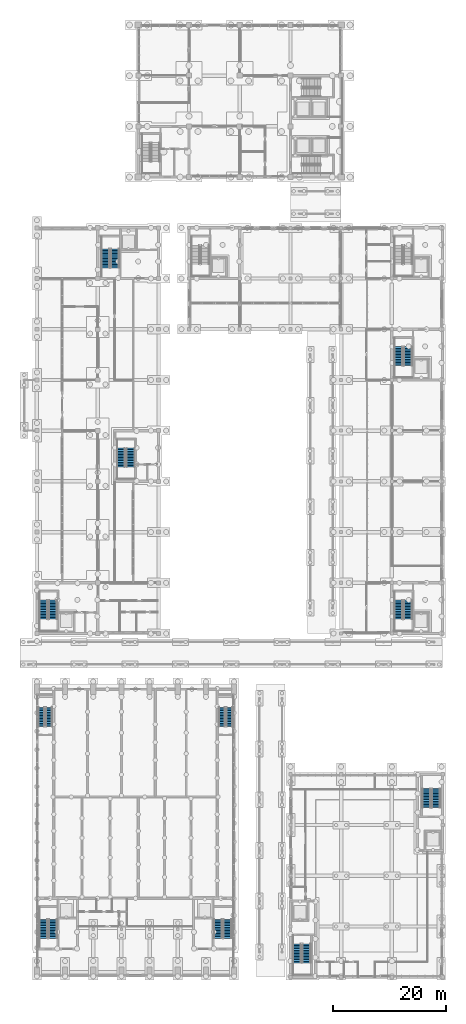
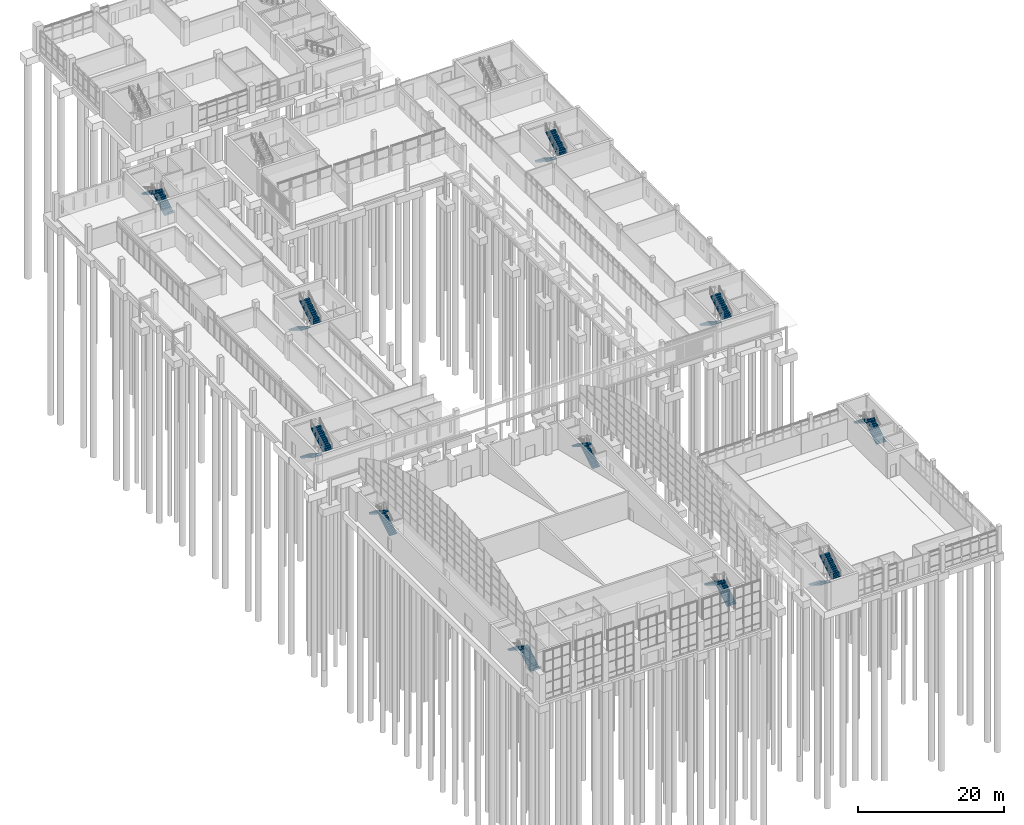
# One storey, part 81 of 106: 22 stair flights, 11 elements without a shape of their own.
"""IFC4 building model written with IfcOpenShell, lengths in metres."""

from ifc_helpers import new_model, si_unit, direction, frame, origin, place, context, subcontext, project, spatial, polyline, outline, extrude, material, type_object, element, aggregate, save


model = new_model("IFC4")

# Units and contexts
model_context = context("Model", 3, precision=1e-05, world=origin(), true_north=direction((0.0, 1.0)))
body_context = subcontext(model_context, "Body", "Model", "MODEL_VIEW")
ifc_project = project(units=[si_unit("LENGTHUNIT", "METRE"), si_unit("AREAUNIT", "SQUARE_METRE"), si_unit("VOLUMEUNIT", "CUBIC_METRE"), si_unit("PLANEANGLEUNIT", "RADIAN"), si_unit("MASSUNIT", "GRAM", prefix="KILO")], contexts=[model_context])

# Site, building, storey
site_placement = place(None, origin())
site = spatial("IfcSite", under=ifc_project, at=site_placement, CompositionType="ELEMENT")
building_placement = place(site_placement, origin())
building = spatial("IfcBuilding", under=site, at=building_placement, Name="Merrow Basin Faculty of Sciences", CompositionType="ELEMENT")
storey_placement = place(building_placement, origin())
storey = spatial("IfcBuildingStorey", under=building, at=storey_placement, Name="L00", CompositionType="ELEMENT", Elevation=0.0)

# Stair, stair flights
ifc_material_1 = material(Name="Concrete C40/50", Category="concrete")
stair_type_1 = type_object("IfcStairType", Name="Concrete dog-leg stair 1150 Concrete C40/50", PredefinedType="HALF_TURN_STAIR", material=ifc_material_1)
stair_1_placement = place(storey_placement, origin())
stair_1 = element("IfcStair", 1, at=stair_1_placement, inside=storey, type_object=stair_type_1, Name="L00 Exit stair NW", PredefinedType="HALF_TURN_STAIR")
ifc_material_2 = material(Name="Concrete C40/50", Category="concrete")
stair_flight_type_1 = type_object("IfcStairFlightType", Name="Concrete stair flight 1150 Concrete C40/50", PredefinedType="STRAIGHT", material=ifc_material_2)
stair_flight_1_placement = place(storey_placement, frame((2.175048828125, 44.5, 0.0), z_axis=(0.0, 0.0, 1.0), x_axis=(0.0, 1.0, 0.0)))
stair_flight_1 = element("IfcStairFlight", 2, at=stair_flight_1_placement, type_object=stair_flight_type_1, Name="ST-V1-NW flight 1", NumberOfRisers=13, NumberOfTreads=12, PredefinedType="STRAIGHT", RiserHeight=0.173076923, TreadLength=0.28, context=body_context, shape_type="SweptSolid", body=[
    extrude(outline(polyline([(0.0, 0.0), (0.0, 0.173095703125), (0.280029296875, 0.173095703125), (0.280029296875, 0.34619140625), (0.56005859375, 0.34619140625), (0.56005859375, 0.519287109375), (0.840087890625, 0.519287109375), (0.840087890625, 0.6923828125), (1.1201171875, 0.6923828125), (1.1201171875, 0.865478515625), (1.39990234375, 0.865478515625), (1.39990234375, 1.03857421875), (1.679931640625, 1.03857421875), (1.679931640625, 1.21142578125), (1.9599609375, 1.21142578125), (1.9599609375, 1.384521484375), (2.239990234375, 1.384521484375), (2.239990234375, 1.5576171875), (2.52001953125, 1.5576171875), (2.52001953125, 1.730712890625), (2.800048828125, 1.730712890625), (2.800048828125, 1.90380859375), (3.080078125, 1.90380859375), (3.080078125, 2.076904296875), (3.360107421875, 2.076904296875), (3.360107421875, 2.25), (3.360107421875, 1.900634765625), (0.28515625, 0.0), (0.0, 0.0)])), frame((0.0, 0.574951171875, 0.0), z_axis=(0.0, -1.0, 0.0), x_axis=(1.0, 0.0, 0.0)), (0.0, 0.0, 1.0), 1.14990234375),
])
stair_flight_2_placement = place(storey_placement, frame((0.824951171875, 47.860107421875, 2.25), z_axis=(0.0, 0.0, 1.0), x_axis=(0.0, -1.0, 0.0)))
stair_flight_2 = element("IfcStairFlight", 3, at=stair_flight_2_placement, type_object=stair_flight_type_1, Name="ST-V1-NW flight 2", NumberOfRisers=13, NumberOfTreads=12, PredefinedType="STRAIGHT", RiserHeight=0.173076923, TreadLength=0.28, context=body_context, shape_type="SweptSolid", body=[
    extrude(outline(polyline([(0.0, 0.0), (0.0, 0.173095703125), (0.280029296875, 0.173095703125), (0.280029296875, 0.34619140625), (0.56005859375, 0.34619140625), (0.56005859375, 0.519287109375), (0.840087890625, 0.519287109375), (0.840087890625, 0.6923828125), (1.1201171875, 0.6923828125), (1.1201171875, 0.865478515625), (1.39990234375, 0.865478515625), (1.39990234375, 1.03857421875), (1.679931640625, 1.03857421875), (1.679931640625, 1.21142578125), (1.9599609375, 1.21142578125), (1.9599609375, 1.384521484375), (2.239990234375, 1.384521484375), (2.239990234375, 1.5576171875), (2.52001953125, 1.5576171875), (2.52001953125, 1.730712890625), (2.800048828125, 1.730712890625), (2.800048828125, 1.90380859375), (3.080078125, 1.90380859375), (3.080078125, 2.076904296875), (3.360107421875, 2.076904296875), (3.360107421875, 2.25), (3.360107421875, 1.900634765625), (0.28515625, 0.0), (0.0, 0.0)])), frame((0.0, 0.574951171875, 0.0), z_axis=(0.0, -1.0, 0.0), x_axis=(1.0, 0.0, 0.0)), (0.0, 0.0, 1.0), 1.14990234375),
])
aggregate(stair_1, [stair_flight_1, stair_flight_2])

stair_2_placement = place(storey_placement, origin())
stair_2 = element("IfcStair", 4, at=stair_2_placement, inside=storey, type_object=stair_type_1, Name="L00 Exit stair NE", PredefinedType="HALF_TURN_STAIR")
stair_flight_3_placement = place(storey_placement, frame((34.175048828125, 44.5, 0.0), z_axis=(0.0, 0.0, 1.0), x_axis=(0.0, 1.0, 0.0)))
stair_flight_3 = element("IfcStairFlight", 5, at=stair_flight_3_placement, type_object=stair_flight_type_1, Name="ST-V1-NE flight 1", NumberOfRisers=13, NumberOfTreads=12, PredefinedType="STRAIGHT", RiserHeight=0.173076923, TreadLength=0.28, context=body_context, shape_type="SweptSolid", body=[
    extrude(outline(polyline([(0.0, 0.0), (0.0, 0.173095703125), (0.280029296875, 0.173095703125), (0.280029296875, 0.34619140625), (0.56005859375, 0.34619140625), (0.56005859375, 0.519287109375), (0.840087890625, 0.519287109375), (0.840087890625, 0.6923828125), (1.1201171875, 0.6923828125), (1.1201171875, 0.865478515625), (1.39990234375, 0.865478515625), (1.39990234375, 1.03857421875), (1.679931640625, 1.03857421875), (1.679931640625, 1.21142578125), (1.9599609375, 1.21142578125), (1.9599609375, 1.384521484375), (2.239990234375, 1.384521484375), (2.239990234375, 1.5576171875), (2.52001953125, 1.5576171875), (2.52001953125, 1.730712890625), (2.800048828125, 1.730712890625), (2.800048828125, 1.90380859375), (3.080078125, 1.90380859375), (3.080078125, 2.076904296875), (3.360107421875, 2.076904296875), (3.360107421875, 2.25), (3.360107421875, 1.900634765625), (0.28515625, 0.0), (0.0, 0.0)])), frame((0.0, 0.574951171875, 0.0), z_axis=(0.0, -1.0, 0.0), x_axis=(1.0, 0.0, 0.0)), (0.0, 0.0, 1.0), 1.14990234375),
])
stair_flight_4_placement = place(storey_placement, frame((32.824951171875, 47.860107421875, 2.25), z_axis=(0.0, 0.0, 1.0), x_axis=(0.0, -1.0, 0.0)))
stair_flight_4 = element("IfcStairFlight", 6, at=stair_flight_4_placement, type_object=stair_flight_type_1, Name="ST-V1-NE flight 2", NumberOfRisers=13, NumberOfTreads=12, PredefinedType="STRAIGHT", RiserHeight=0.173076923, TreadLength=0.28, context=body_context, shape_type="SweptSolid", body=[
    extrude(outline(polyline([(0.0, 0.0), (0.0, 0.173095703125), (0.280029296875, 0.173095703125), (0.280029296875, 0.34619140625), (0.56005859375, 0.34619140625), (0.56005859375, 0.519287109375), (0.840087890625, 0.519287109375), (0.840087890625, 0.6923828125), (1.1201171875, 0.6923828125), (1.1201171875, 0.865478515625), (1.39990234375, 0.865478515625), (1.39990234375, 1.03857421875), (1.679931640625, 1.03857421875), (1.679931640625, 1.21142578125), (1.9599609375, 1.21142578125), (1.9599609375, 1.384521484375), (2.239990234375, 1.384521484375), (2.239990234375, 1.5576171875), (2.52001953125, 1.5576171875), (2.52001953125, 1.730712890625), (2.800048828125, 1.730712890625), (2.800048828125, 1.90380859375), (3.080078125, 1.90380859375), (3.080078125, 2.076904296875), (3.360107421875, 2.076904296875), (3.360107421875, 2.25), (3.360107421875, 1.900634765625), (0.28515625, 0.0), (0.0, 0.0)])), frame((0.0, 0.574951171875, 0.0), z_axis=(0.0, -1.0, 0.0), x_axis=(1.0, 0.0, 0.0)), (0.0, 0.0, 1.0), 1.14990234375),
])
aggregate(stair_2, [stair_flight_3, stair_flight_4])

ifc_material_3 = material(Name="Concrete C40/50", Category="concrete")
stair_type_2 = type_object("IfcStairType", Name="Concrete dog-leg stair Concrete C40/50", PredefinedType="HALF_TURN_STAIR", material=ifc_material_3)
stair_3_placement = place(storey_placement, origin())
stair_3 = element("IfcStair", 7, at=stair_3_placement, inside=storey, type_object=stair_type_2, Name="L00 Exit stair S", PredefinedType="HALF_TURN_STAIR")
ifc_material_4 = material(Name="Concrete C40/50", Category="concrete")
stair_flight_type_2 = type_object("IfcStairFlightType", Name="Concrete stair flight Concrete C40/50", PredefinedType="STRAIGHT", material=ifc_material_4)
stair_flight_5_placement = place(storey_placement, frame((1.14990234375, 66.89990234375, 0.0), z_axis=(0.0, 0.0, 1.0), x_axis=(0.0, -1.0, 0.0)))
stair_flight_5 = element("IfcStairFlight", 8, at=stair_flight_5_placement, type_object=stair_flight_type_2, Name="ST-V4-S flight 1", NumberOfRisers=13, NumberOfTreads=12, PredefinedType="STRAIGHT", RiserHeight=0.173076923, TreadLength=0.28, context=body_context, shape_type="SweptSolid", body=[
    extrude(outline(polyline([(0.0, 0.0), (0.0, 0.173095703125), (0.280029296875, 0.173095703125), (0.280029296875, 0.34619140625), (0.56005859375, 0.34619140625), (0.56005859375, 0.519287109375), (0.840087890625, 0.519287109375), (0.840087890625, 0.6923828125), (1.1201171875, 0.6923828125), (1.1201171875, 0.865478515625), (1.39990234375, 0.865478515625), (1.39990234375, 1.03857421875), (1.679931640625, 1.03857421875), (1.679931640625, 1.21142578125), (1.9599609375, 1.21142578125), (1.9599609375, 1.384521484375), (2.239990234375, 1.384521484375), (2.239990234375, 1.5576171875), (2.52001953125, 1.5576171875), (2.52001953125, 1.730712890625), (2.800048828125, 1.730712890625), (2.800048828125, 1.90380859375), (3.080078125, 1.90380859375), (3.080078125, 2.076904296875), (3.360107421875, 2.076904296875), (3.360107421875, 2.25), (3.360107421875, 1.900634765625), (0.28515625, 0.0), (0.0, 0.0)])), frame((0.0, 0.75, 0.0), z_axis=(0.0, -1.0, 0.0), x_axis=(1.0, 0.0, 0.0)), (0.0, 0.0, 1.0), 1.5),
])
stair_flight_6_placement = place(storey_placement, frame((2.85009765625, 63.5400390625, 2.25), z_axis=(0.0, 0.0, 1.0), x_axis=(0.0, 1.0, 0.0)))
stair_flight_6 = element("IfcStairFlight", 9, at=stair_flight_6_placement, type_object=stair_flight_type_2, Name="ST-V4-S flight 2", NumberOfRisers=13, NumberOfTreads=12, PredefinedType="STRAIGHT", RiserHeight=0.173076923, TreadLength=0.28, context=body_context, shape_type="SweptSolid", body=[
    extrude(outline(polyline([(0.0, 0.0), (0.0, 0.173095703125), (0.280029296875, 0.173095703125), (0.280029296875, 0.34619140625), (0.56005859375, 0.34619140625), (0.56005859375, 0.519287109375), (0.840087890625, 0.519287109375), (0.840087890625, 0.6923828125), (1.1201171875, 0.6923828125), (1.1201171875, 0.865478515625), (1.39990234375, 0.865478515625), (1.39990234375, 1.03857421875), (1.679931640625, 1.03857421875), (1.679931640625, 1.21142578125), (1.9599609375, 1.21142578125), (1.9599609375, 1.384521484375), (2.239990234375, 1.384521484375), (2.239990234375, 1.5576171875), (2.52001953125, 1.5576171875), (2.52001953125, 1.730712890625), (2.800048828125, 1.730712890625), (2.800048828125, 1.90380859375), (3.080078125, 1.90380859375), (3.080078125, 2.076904296875), (3.360107421875, 2.076904296875), (3.360107421875, 2.25), (3.360107421875, 1.900634765625), (0.28515625, 0.0), (0.0, 0.0)])), frame((0.0, 0.75, 0.0), z_axis=(0.0, -1.0, 0.0), x_axis=(1.0, 0.0, 0.0)), (0.0, 0.0, 1.0), 1.5),
])
aggregate(stair_3, [stair_flight_5, stair_flight_6])

stair_4_placement = place(storey_placement, origin())
stair_4 = element("IfcStair", 10, at=stair_4_placement, inside=storey, type_object=stair_type_2, Name="L00 Exit stair M", PredefinedType="HALF_TURN_STAIR")
stair_flight_7_placement = place(storey_placement, frame((14.949951171875, 93.89990234375, 0.0), z_axis=(0.0, 0.0, 1.0), x_axis=(0.0, -1.0, 0.0)))
stair_flight_7 = element("IfcStairFlight", 11, at=stair_flight_7_placement, type_object=stair_flight_type_2, Name="ST-V4-M flight 1", NumberOfRisers=13, NumberOfTreads=12, PredefinedType="STRAIGHT", RiserHeight=0.173076923, TreadLength=0.28, context=body_context, shape_type="SweptSolid", body=[
    extrude(outline(polyline([(0.0, 0.0), (0.0, 0.173095703125), (0.280029296875, 0.173095703125), (0.280029296875, 0.34619140625), (0.56005859375, 0.34619140625), (0.56005859375, 0.519287109375), (0.840087890625, 0.519287109375), (0.840087890625, 0.6923828125), (1.1201171875, 0.6923828125), (1.1201171875, 0.865478515625), (1.39990234375, 0.865478515625), (1.39990234375, 1.03857421875), (1.679931640625, 1.03857421875), (1.679931640625, 1.21142578125), (1.9599609375, 1.21142578125), (1.9599609375, 1.384521484375), (2.239990234375, 1.384521484375), (2.239990234375, 1.5576171875), (2.52001953125, 1.5576171875), (2.52001953125, 1.730712890625), (2.800048828125, 1.730712890625), (2.800048828125, 1.90380859375), (3.080078125, 1.90380859375), (3.080078125, 2.076904296875), (3.360107421875, 2.076904296875), (3.360107421875, 2.25), (3.360107421875, 1.900634765625), (0.28515625, 0.0), (0.0, 0.0)])), frame((0.0, 0.75, 0.0), z_axis=(0.0, -1.0, 0.0), x_axis=(1.0, 0.0, 0.0)), (0.0, 0.0, 1.0), 1.5),
])
stair_flight_8_placement = place(storey_placement, frame((16.64990234375, 90.5400390625, 2.25), z_axis=(0.0, 0.0, 1.0), x_axis=(0.0, 1.0, 0.0)))
stair_flight_8 = element("IfcStairFlight", 12, at=stair_flight_8_placement, type_object=stair_flight_type_2, Name="ST-V4-M flight 2", NumberOfRisers=13, NumberOfTreads=12, PredefinedType="STRAIGHT", RiserHeight=0.173076923, TreadLength=0.28, context=body_context, shape_type="SweptSolid", body=[
    extrude(outline(polyline([(0.0, 0.0), (0.0, 0.173095703125), (0.280029296875, 0.173095703125), (0.280029296875, 0.34619140625), (0.56005859375, 0.34619140625), (0.56005859375, 0.519287109375), (0.840087890625, 0.519287109375), (0.840087890625, 0.6923828125), (1.1201171875, 0.6923828125), (1.1201171875, 0.865478515625), (1.39990234375, 0.865478515625), (1.39990234375, 1.03857421875), (1.679931640625, 1.03857421875), (1.679931640625, 1.21142578125), (1.9599609375, 1.21142578125), (1.9599609375, 1.384521484375), (2.239990234375, 1.384521484375), (2.239990234375, 1.5576171875), (2.52001953125, 1.5576171875), (2.52001953125, 1.730712890625), (2.800048828125, 1.730712890625), (2.800048828125, 1.90380859375), (3.080078125, 1.90380859375), (3.080078125, 2.076904296875), (3.360107421875, 2.076904296875), (3.360107421875, 2.25), (3.360107421875, 1.900634765625), (0.28515625, 0.0), (0.0, 0.0)])), frame((0.0, 0.75, 0.0), z_axis=(0.0, -1.0, 0.0), x_axis=(1.0, 0.0, 0.0)), (0.0, 0.0, 1.0), 1.5),
])
aggregate(stair_4, [stair_flight_7, stair_flight_8])

stair_5_placement = place(storey_placement, origin())
stair_5 = element("IfcStair", 13, at=stair_5_placement, inside=storey, type_object=stair_type_2, Name="L00 Exit stair N", PredefinedType="HALF_TURN_STAIR")
stair_flight_9_placement = place(storey_placement, frame((13.85009765625, 125.89990234375, 0.0), z_axis=(0.0, 0.0, 1.0), x_axis=(0.0, 1.0, 0.0)))
stair_flight_9 = element("IfcStairFlight", 14, at=stair_flight_9_placement, type_object=stair_flight_type_2, Name="ST-V4-N flight 1", NumberOfRisers=13, NumberOfTreads=12, PredefinedType="STRAIGHT", RiserHeight=0.173076923, TreadLength=0.28, context=body_context, shape_type="SweptSolid", body=[
    extrude(outline(polyline([(0.0, 0.0), (0.0, 0.173095703125), (0.280029296875, 0.173095703125), (0.280029296875, 0.34619140625), (0.56005859375, 0.34619140625), (0.56005859375, 0.519287109375), (0.840087890625, 0.519287109375), (0.840087890625, 0.6923828125), (1.1201171875, 0.6923828125), (1.1201171875, 0.865478515625), (1.39990234375, 0.865478515625), (1.39990234375, 1.03857421875), (1.679931640625, 1.03857421875), (1.679931640625, 1.21142578125), (1.9599609375, 1.21142578125), (1.9599609375, 1.384521484375), (2.239990234375, 1.384521484375), (2.239990234375, 1.5576171875), (2.52001953125, 1.5576171875), (2.52001953125, 1.730712890625), (2.800048828125, 1.730712890625), (2.800048828125, 1.90380859375), (3.080078125, 1.90380859375), (3.080078125, 2.076904296875), (3.360107421875, 2.076904296875), (3.360107421875, 2.25), (3.360107421875, 1.900634765625), (0.28515625, 0.0), (0.0, 0.0)])), frame((0.0, 0.75, 0.0), z_axis=(0.0, -1.0, 0.0), x_axis=(1.0, 0.0, 0.0)), (0.0, 0.0, 1.0), 1.5),
])
stair_flight_10_placement = place(storey_placement, frame((12.14990234375, 129.260009765625, 2.25), z_axis=(0.0, 0.0, 1.0), x_axis=(0.0, -1.0, 0.0)))
stair_flight_10 = element("IfcStairFlight", 15, at=stair_flight_10_placement, type_object=stair_flight_type_2, Name="ST-V4-N flight 2", NumberOfRisers=13, NumberOfTreads=12, PredefinedType="STRAIGHT", RiserHeight=0.173076923, TreadLength=0.28, context=body_context, shape_type="SweptSolid", body=[
    extrude(outline(polyline([(0.0, 0.0), (0.0, 0.173095703125), (0.280029296875, 0.173095703125), (0.280029296875, 0.34619140625), (0.56005859375, 0.34619140625), (0.56005859375, 0.519287109375), (0.840087890625, 0.519287109375), (0.840087890625, 0.6923828125), (1.1201171875, 0.6923828125), (1.1201171875, 0.865478515625), (1.39990234375, 0.865478515625), (1.39990234375, 1.03857421875), (1.679931640625, 1.03857421875), (1.679931640625, 1.21142578125), (1.9599609375, 1.21142578125), (1.9599609375, 1.384521484375), (2.239990234375, 1.384521484375), (2.239990234375, 1.5576171875), (2.52001953125, 1.5576171875), (2.52001953125, 1.730712890625), (2.800048828125, 1.730712890625), (2.800048828125, 1.90380859375), (3.080078125, 1.90380859375), (3.080078125, 2.076904296875), (3.360107421875, 2.076904296875), (3.360107421875, 2.25), (3.360107421875, 1.900634765625), (0.28515625, 0.0), (0.0, 0.0)])), frame((0.0, 0.75, 0.0), z_axis=(0.0, -1.0, 0.0), x_axis=(1.0, 0.0, 0.0)), (0.0, 0.0, 1.0), 1.5),
])
aggregate(stair_5, [stair_flight_9, stair_flight_10])

stair_6_placement = place(storey_placement, origin())
stair_6 = element("IfcStair", 16, at=stair_6_placement, inside=storey, type_object=stair_type_2, Name="L00 Exit stair W", PredefinedType="HALF_TURN_STAIR")
stair_flight_11_placement = place(storey_placement, frame((2.85009765625, 6.89990234375, 0.0), z_axis=(0.0, 0.0, 1.0), x_axis=(0.0, 1.0, 0.0)))
stair_flight_11 = element("IfcStairFlight", 17, at=stair_flight_11_placement, type_object=stair_flight_type_2, Name="ST-V1-W flight 1", NumberOfRisers=13, NumberOfTreads=12, PredefinedType="STRAIGHT", RiserHeight=0.173076923, TreadLength=0.28, context=body_context, shape_type="SweptSolid", body=[
    extrude(outline(polyline([(0.0, 0.0), (0.0, 0.173095703125), (0.280029296875, 0.173095703125), (0.280029296875, 0.34619140625), (0.56005859375, 0.34619140625), (0.56005859375, 0.519287109375), (0.840087890625, 0.519287109375), (0.840087890625, 0.6923828125), (1.1201171875, 0.6923828125), (1.1201171875, 0.865478515625), (1.39990234375, 0.865478515625), (1.39990234375, 1.03857421875), (1.679931640625, 1.03857421875), (1.679931640625, 1.21142578125), (1.9599609375, 1.21142578125), (1.9599609375, 1.384521484375), (2.239990234375, 1.384521484375), (2.239990234375, 1.5576171875), (2.52001953125, 1.5576171875), (2.52001953125, 1.730712890625), (2.800048828125, 1.730712890625), (2.800048828125, 1.90380859375), (3.080078125, 1.90380859375), (3.080078125, 2.076904296875), (3.360107421875, 2.076904296875), (3.360107421875, 2.25), (3.360107421875, 1.900634765625), (0.28515625, 0.0), (0.0, 0.0)])), frame((0.0, 0.75, 0.0), z_axis=(0.0, -1.0, 0.0), x_axis=(1.0, 0.0, 0.0)), (0.0, 0.0, 1.0), 1.5),
])
stair_flight_12_placement = place(storey_placement, frame((1.14990234375, 10.260009765625, 2.25), z_axis=(0.0, 0.0, 1.0), x_axis=(0.0, -1.0, 0.0)))
stair_flight_12 = element("IfcStairFlight", 18, at=stair_flight_12_placement, type_object=stair_flight_type_2, Name="ST-V1-W flight 2", NumberOfRisers=13, NumberOfTreads=12, PredefinedType="STRAIGHT", RiserHeight=0.173076923, TreadLength=0.28, context=body_context, shape_type="SweptSolid", body=[
    extrude(outline(polyline([(0.0, 0.0), (0.0, 0.173095703125), (0.280029296875, 0.173095703125), (0.280029296875, 0.34619140625), (0.56005859375, 0.34619140625), (0.56005859375, 0.519287109375), (0.840087890625, 0.519287109375), (0.840087890625, 0.6923828125), (1.1201171875, 0.6923828125), (1.1201171875, 0.865478515625), (1.39990234375, 0.865478515625), (1.39990234375, 1.03857421875), (1.679931640625, 1.03857421875), (1.679931640625, 1.21142578125), (1.9599609375, 1.21142578125), (1.9599609375, 1.384521484375), (2.239990234375, 1.384521484375), (2.239990234375, 1.5576171875), (2.52001953125, 1.5576171875), (2.52001953125, 1.730712890625), (2.800048828125, 1.730712890625), (2.800048828125, 1.90380859375), (3.080078125, 1.90380859375), (3.080078125, 2.076904296875), (3.360107421875, 2.076904296875), (3.360107421875, 2.25), (3.360107421875, 1.900634765625), (0.28515625, 0.0), (0.0, 0.0)])), frame((0.0, 0.75, 0.0), z_axis=(0.0, -1.0, 0.0), x_axis=(1.0, 0.0, 0.0)), (0.0, 0.0, 1.0), 1.5),
])
aggregate(stair_6, [stair_flight_11, stair_flight_12])

stair_7_placement = place(storey_placement, origin())
stair_7 = element("IfcStair", 19, at=stair_7_placement, inside=storey, type_object=stair_type_2, Name="L00 Exit stair E", PredefinedType="HALF_TURN_STAIR")
stair_flight_13_placement = place(storey_placement, frame((33.85009765625, 6.89990234375, 0.0), z_axis=(0.0, 0.0, 1.0), x_axis=(0.0, 1.0, 0.0)))
stair_flight_13 = element("IfcStairFlight", 20, at=stair_flight_13_placement, type_object=stair_flight_type_2, Name="ST-V1-E flight 1", NumberOfRisers=13, NumberOfTreads=12, PredefinedType="STRAIGHT", RiserHeight=0.173076923, TreadLength=0.28, context=body_context, shape_type="SweptSolid", body=[
    extrude(outline(polyline([(0.0, 0.0), (0.0, 0.173095703125), (0.280029296875, 0.173095703125), (0.280029296875, 0.34619140625), (0.56005859375, 0.34619140625), (0.56005859375, 0.519287109375), (0.840087890625, 0.519287109375), (0.840087890625, 0.6923828125), (1.1201171875, 0.6923828125), (1.1201171875, 0.865478515625), (1.39990234375, 0.865478515625), (1.39990234375, 1.03857421875), (1.679931640625, 1.03857421875), (1.679931640625, 1.21142578125), (1.9599609375, 1.21142578125), (1.9599609375, 1.384521484375), (2.239990234375, 1.384521484375), (2.239990234375, 1.5576171875), (2.52001953125, 1.5576171875), (2.52001953125, 1.730712890625), (2.800048828125, 1.730712890625), (2.800048828125, 1.90380859375), (3.080078125, 1.90380859375), (3.080078125, 2.076904296875), (3.360107421875, 2.076904296875), (3.360107421875, 2.25), (3.360107421875, 1.900634765625), (0.28515625, 0.0), (0.0, 0.0)])), frame((0.0, 0.75, 0.0), z_axis=(0.0, -1.0, 0.0), x_axis=(1.0, 0.0, 0.0)), (0.0, 0.0, 1.0), 1.5),
])
stair_flight_14_placement = place(storey_placement, frame((32.14990234375, 10.260009765625, 2.25), z_axis=(0.0, 0.0, 1.0), x_axis=(0.0, -1.0, 0.0)))
stair_flight_14 = element("IfcStairFlight", 21, at=stair_flight_14_placement, type_object=stair_flight_type_2, Name="ST-V1-E flight 2", NumberOfRisers=13, NumberOfTreads=12, PredefinedType="STRAIGHT", RiserHeight=0.173076923, TreadLength=0.28, context=body_context, shape_type="SweptSolid", body=[
    extrude(outline(polyline([(0.0, 0.0), (0.0, 0.173095703125), (0.280029296875, 0.173095703125), (0.280029296875, 0.34619140625), (0.56005859375, 0.34619140625), (0.56005859375, 0.519287109375), (0.840087890625, 0.519287109375), (0.840087890625, 0.6923828125), (1.1201171875, 0.6923828125), (1.1201171875, 0.865478515625), (1.39990234375, 0.865478515625), (1.39990234375, 1.03857421875), (1.679931640625, 1.03857421875), (1.679931640625, 1.21142578125), (1.9599609375, 1.21142578125), (1.9599609375, 1.384521484375), (2.239990234375, 1.384521484375), (2.239990234375, 1.5576171875), (2.52001953125, 1.5576171875), (2.52001953125, 1.730712890625), (2.800048828125, 1.730712890625), (2.800048828125, 1.90380859375), (3.080078125, 1.90380859375), (3.080078125, 2.076904296875), (3.360107421875, 2.076904296875), (3.360107421875, 2.25), (3.360107421875, 1.900634765625), (0.28515625, 0.0), (0.0, 0.0)])), frame((0.0, 0.75, 0.0), z_axis=(0.0, -1.0, 0.0), x_axis=(1.0, 0.0, 0.0)), (0.0, 0.0, 1.0), 1.5),
])
aggregate(stair_7, [stair_flight_13, stair_flight_14])

stair_8_placement = place(storey_placement, origin())
stair_8 = element("IfcStair", 22, at=stair_8_placement, inside=storey, type_object=stair_type_2, Name="L00 Exit stair S", PredefinedType="HALF_TURN_STAIR")
stair_flight_15_placement = place(storey_placement, frame((64.14990234375, 66.89990234375, 0.0), z_axis=(0.0, 0.0, 1.0), x_axis=(0.0, -1.0, 0.0)))
stair_flight_15 = element("IfcStairFlight", 23, at=stair_flight_15_placement, type_object=stair_flight_type_2, Name="ST-V2-S flight 1", NumberOfRisers=13, NumberOfTreads=12, PredefinedType="STRAIGHT", RiserHeight=0.173076923, TreadLength=0.28, context=body_context, shape_type="SweptSolid", body=[
    extrude(outline(polyline([(0.0, 0.0), (0.0, 0.173095703125), (0.280029296875, 0.173095703125), (0.280029296875, 0.34619140625), (0.56005859375, 0.34619140625), (0.56005859375, 0.519287109375), (0.840087890625, 0.519287109375), (0.840087890625, 0.6923828125), (1.1201171875, 0.6923828125), (1.1201171875, 0.865478515625), (1.39990234375, 0.865478515625), (1.39990234375, 1.03857421875), (1.679931640625, 1.03857421875), (1.679931640625, 1.21142578125), (1.9599609375, 1.21142578125), (1.9599609375, 1.384521484375), (2.239990234375, 1.384521484375), (2.239990234375, 1.5576171875), (2.52001953125, 1.5576171875), (2.52001953125, 1.730712890625), (2.800048828125, 1.730712890625), (2.800048828125, 1.90380859375), (3.080078125, 1.90380859375), (3.080078125, 2.076904296875), (3.360107421875, 2.076904296875), (3.360107421875, 2.25), (3.360107421875, 1.900634765625), (0.28515625, 0.0), (0.0, 0.0)])), frame((0.0, 0.75, 0.0), z_axis=(0.0, -1.0, 0.0), x_axis=(1.0, 0.0, 0.0)), (0.0, 0.0, 1.0), 1.5),
])
stair_flight_16_placement = place(storey_placement, frame((65.85009765625, 63.5400390625, 2.25), z_axis=(0.0, 0.0, 1.0), x_axis=(0.0, 1.0, 0.0)))
stair_flight_16 = element("IfcStairFlight", 24, at=stair_flight_16_placement, type_object=stair_flight_type_2, Name="ST-V2-S flight 2", NumberOfRisers=13, NumberOfTreads=12, PredefinedType="STRAIGHT", RiserHeight=0.173076923, TreadLength=0.28, context=body_context, shape_type="SweptSolid", body=[
    extrude(outline(polyline([(0.0, 0.0), (0.0, 0.173095703125), (0.280029296875, 0.173095703125), (0.280029296875, 0.34619140625), (0.56005859375, 0.34619140625), (0.56005859375, 0.519287109375), (0.840087890625, 0.519287109375), (0.840087890625, 0.6923828125), (1.1201171875, 0.6923828125), (1.1201171875, 0.865478515625), (1.39990234375, 0.865478515625), (1.39990234375, 1.03857421875), (1.679931640625, 1.03857421875), (1.679931640625, 1.21142578125), (1.9599609375, 1.21142578125), (1.9599609375, 1.384521484375), (2.239990234375, 1.384521484375), (2.239990234375, 1.5576171875), (2.52001953125, 1.5576171875), (2.52001953125, 1.730712890625), (2.800048828125, 1.730712890625), (2.800048828125, 1.90380859375), (3.080078125, 1.90380859375), (3.080078125, 2.076904296875), (3.360107421875, 2.076904296875), (3.360107421875, 2.25), (3.360107421875, 1.900634765625), (0.28515625, 0.0), (0.0, 0.0)])), frame((0.0, 0.75, 0.0), z_axis=(0.0, -1.0, 0.0), x_axis=(1.0, 0.0, 0.0)), (0.0, 0.0, 1.0), 1.5),
])
aggregate(stair_8, [stair_flight_15, stair_flight_16])

stair_9_placement = place(storey_placement, origin())
stair_9 = element("IfcStair", 25, at=stair_9_placement, inside=storey, type_object=stair_type_2, Name="L00 Exit stair M", PredefinedType="HALF_TURN_STAIR")
stair_flight_17_placement = place(storey_placement, frame((64.14990234375, 111.89990234375, 0.0), z_axis=(0.0, 0.0, 1.0), x_axis=(0.0, -1.0, 0.0)))
stair_flight_17 = element("IfcStairFlight", 26, at=stair_flight_17_placement, type_object=stair_flight_type_2, Name="ST-V2-M flight 1", NumberOfRisers=13, NumberOfTreads=12, PredefinedType="STRAIGHT", RiserHeight=0.173076923, TreadLength=0.28, context=body_context, shape_type="SweptSolid", body=[
    extrude(outline(polyline([(0.0, 0.0), (0.0, 0.173095703125), (0.280029296875, 0.173095703125), (0.280029296875, 0.34619140625), (0.56005859375, 0.34619140625), (0.56005859375, 0.519287109375), (0.840087890625, 0.519287109375), (0.840087890625, 0.6923828125), (1.1201171875, 0.6923828125), (1.1201171875, 0.865478515625), (1.39990234375, 0.865478515625), (1.39990234375, 1.03857421875), (1.679931640625, 1.03857421875), (1.679931640625, 1.21142578125), (1.9599609375, 1.21142578125), (1.9599609375, 1.384521484375), (2.239990234375, 1.384521484375), (2.239990234375, 1.5576171875), (2.52001953125, 1.5576171875), (2.52001953125, 1.730712890625), (2.800048828125, 1.730712890625), (2.800048828125, 1.90380859375), (3.080078125, 1.90380859375), (3.080078125, 2.076904296875), (3.360107421875, 2.076904296875), (3.360107421875, 2.25), (3.360107421875, 1.900634765625), (0.28515625, 0.0), (0.0, 0.0)])), frame((0.0, 0.75, 0.0), z_axis=(0.0, -1.0, 0.0), x_axis=(1.0, 0.0, 0.0)), (0.0, 0.0, 1.0), 1.5),
])
stair_flight_18_placement = place(storey_placement, frame((65.85009765625, 108.5400390625, 2.25), z_axis=(0.0, 0.0, 1.0), x_axis=(0.0, 1.0, 0.0)))
stair_flight_18 = element("IfcStairFlight", 27, at=stair_flight_18_placement, type_object=stair_flight_type_2, Name="ST-V2-M flight 2", NumberOfRisers=13, NumberOfTreads=12, PredefinedType="STRAIGHT", RiserHeight=0.173076923, TreadLength=0.28, context=body_context, shape_type="SweptSolid", body=[
    extrude(outline(polyline([(0.0, 0.0), (0.0, 0.173095703125), (0.280029296875, 0.173095703125), (0.280029296875, 0.34619140625), (0.56005859375, 0.34619140625), (0.56005859375, 0.519287109375), (0.840087890625, 0.519287109375), (0.840087890625, 0.6923828125), (1.1201171875, 0.6923828125), (1.1201171875, 0.865478515625), (1.39990234375, 0.865478515625), (1.39990234375, 1.03857421875), (1.679931640625, 1.03857421875), (1.679931640625, 1.21142578125), (1.9599609375, 1.21142578125), (1.9599609375, 1.384521484375), (2.239990234375, 1.384521484375), (2.239990234375, 1.5576171875), (2.52001953125, 1.5576171875), (2.52001953125, 1.730712890625), (2.800048828125, 1.730712890625), (2.800048828125, 1.90380859375), (3.080078125, 1.90380859375), (3.080078125, 2.076904296875), (3.360107421875, 2.076904296875), (3.360107421875, 2.25), (3.360107421875, 1.900634765625), (0.28515625, 0.0), (0.0, 0.0)])), frame((0.0, 0.75, 0.0), z_axis=(0.0, -1.0, 0.0), x_axis=(1.0, 0.0, 0.0)), (0.0, 0.0, 1.0), 1.5),
])
aggregate(stair_9, [stair_flight_17, stair_flight_18])

stair_10_placement = place(storey_placement, origin())
stair_10 = element("IfcStair", 28, at=stair_10_placement, inside=storey, type_object=stair_type_2, Name="L00 Exit stair W", PredefinedType="HALF_TURN_STAIR")
stair_flight_19_placement = place(storey_placement, frame((46.14990234375, 5.89990234375, 0.0), z_axis=(0.0, 0.0, 1.0), x_axis=(0.0, -1.0, 0.0)))
stair_flight_19 = element("IfcStairFlight", 29, at=stair_flight_19_placement, type_object=stair_flight_type_2, Name="ST-V3-W flight 1", NumberOfRisers=13, NumberOfTreads=12, PredefinedType="STRAIGHT", RiserHeight=0.173076923, TreadLength=0.28, context=body_context, shape_type="SweptSolid", body=[
    extrude(outline(polyline([(0.0, 0.0), (0.0, 0.173095703125), (0.280029296875, 0.173095703125), (0.280029296875, 0.34619140625), (0.56005859375, 0.34619140625), (0.56005859375, 0.519287109375), (0.840087890625, 0.519287109375), (0.840087890625, 0.6923828125), (1.1201171875, 0.6923828125), (1.1201171875, 0.865478515625), (1.39990234375, 0.865478515625), (1.39990234375, 1.03857421875), (1.679931640625, 1.03857421875), (1.679931640625, 1.21142578125), (1.9599609375, 1.21142578125), (1.9599609375, 1.384521484375), (2.239990234375, 1.384521484375), (2.239990234375, 1.5576171875), (2.52001953125, 1.5576171875), (2.52001953125, 1.730712890625), (2.800048828125, 1.730712890625), (2.800048828125, 1.90380859375), (3.080078125, 1.90380859375), (3.080078125, 2.076904296875), (3.360107421875, 2.076904296875), (3.360107421875, 2.25), (3.360107421875, 1.900634765625), (0.28515625, 0.0), (0.0, 0.0)])), frame((0.0, 0.75, 0.0), z_axis=(0.0, -1.0, 0.0), x_axis=(1.0, 0.0, 0.0)), (0.0, 0.0, 1.0), 1.5),
])
stair_flight_20_placement = place(storey_placement, frame((47.85009765625, 2.5400390625, 2.25), z_axis=(0.0, 0.0, 1.0), x_axis=(0.0, 1.0, 0.0)))
stair_flight_20 = element("IfcStairFlight", 30, at=stair_flight_20_placement, type_object=stair_flight_type_2, Name="ST-V3-W flight 2", NumberOfRisers=13, NumberOfTreads=12, PredefinedType="STRAIGHT", RiserHeight=0.173076923, TreadLength=0.28, context=body_context, shape_type="SweptSolid", body=[
    extrude(outline(polyline([(0.0, 0.0), (0.0, 0.173095703125), (0.280029296875, 0.173095703125), (0.280029296875, 0.34619140625), (0.56005859375, 0.34619140625), (0.56005859375, 0.519287109375), (0.840087890625, 0.519287109375), (0.840087890625, 0.6923828125), (1.1201171875, 0.6923828125), (1.1201171875, 0.865478515625), (1.39990234375, 0.865478515625), (1.39990234375, 1.03857421875), (1.679931640625, 1.03857421875), (1.679931640625, 1.21142578125), (1.9599609375, 1.21142578125), (1.9599609375, 1.384521484375), (2.239990234375, 1.384521484375), (2.239990234375, 1.5576171875), (2.52001953125, 1.5576171875), (2.52001953125, 1.730712890625), (2.800048828125, 1.730712890625), (2.800048828125, 1.90380859375), (3.080078125, 1.90380859375), (3.080078125, 2.076904296875), (3.360107421875, 2.076904296875), (3.360107421875, 2.25), (3.360107421875, 1.900634765625), (0.28515625, 0.0), (0.0, 0.0)])), frame((0.0, 0.75, 0.0), z_axis=(0.0, -1.0, 0.0), x_axis=(1.0, 0.0, 0.0)), (0.0, 0.0, 1.0), 1.5),
])
aggregate(stair_10, [stair_flight_19, stair_flight_20])

stair_11_placement = place(storey_placement, origin())
stair_11 = element("IfcStair", 31, at=stair_11_placement, inside=storey, type_object=stair_type_2, Name="L00 Exit stair E", PredefinedType="HALF_TURN_STAIR")
stair_flight_21_placement = place(storey_placement, frame((70.85009765625, 30.10009765625, 0.0), z_axis=(0.0, 0.0, 1.0), x_axis=(0.0, 1.0, 0.0)))
stair_flight_21 = element("IfcStairFlight", 32, at=stair_flight_21_placement, type_object=stair_flight_type_2, Name="ST-V3-E flight 1", NumberOfRisers=13, NumberOfTreads=12, PredefinedType="STRAIGHT", RiserHeight=0.173076923, TreadLength=0.28, context=body_context, shape_type="SweptSolid", body=[
    extrude(outline(polyline([(0.0, 0.0), (0.0, 0.173095703125), (0.280029296875, 0.173095703125), (0.280029296875, 0.34619140625), (0.56005859375, 0.34619140625), (0.56005859375, 0.519287109375), (0.840087890625, 0.519287109375), (0.840087890625, 0.6923828125), (1.1201171875, 0.6923828125), (1.1201171875, 0.865478515625), (1.39990234375, 0.865478515625), (1.39990234375, 1.03857421875), (1.679931640625, 1.03857421875), (1.679931640625, 1.21142578125), (1.9599609375, 1.21142578125), (1.9599609375, 1.384521484375), (2.239990234375, 1.384521484375), (2.239990234375, 1.5576171875), (2.52001953125, 1.5576171875), (2.52001953125, 1.730712890625), (2.800048828125, 1.730712890625), (2.800048828125, 1.90380859375), (3.080078125, 1.90380859375), (3.080078125, 2.076904296875), (3.360107421875, 2.076904296875), (3.360107421875, 2.25), (3.360107421875, 1.900634765625), (0.28515625, 0.0), (0.0, 0.0)])), frame((0.0, 0.75, 0.0), z_axis=(0.0, -1.0, 0.0), x_axis=(1.0, 0.0, 0.0)), (0.0, 0.0, 1.0), 1.5),
])
stair_flight_22_placement = place(storey_placement, frame((69.14990234375, 33.4599609375, 2.25), z_axis=(0.0, 0.0, 1.0), x_axis=(0.0, -1.0, 0.0)))
stair_flight_22 = element("IfcStairFlight", 33, at=stair_flight_22_placement, type_object=stair_flight_type_2, Name="ST-V3-E flight 2", NumberOfRisers=13, NumberOfTreads=12, PredefinedType="STRAIGHT", RiserHeight=0.173076923, TreadLength=0.28, context=body_context, shape_type="SweptSolid", body=[
    extrude(outline(polyline([(0.0, 0.0), (0.0, 0.173095703125), (0.280029296875, 0.173095703125), (0.280029296875, 0.34619140625), (0.56005859375, 0.34619140625), (0.56005859375, 0.519287109375), (0.840087890625, 0.519287109375), (0.840087890625, 0.6923828125), (1.1201171875, 0.6923828125), (1.1201171875, 0.865478515625), (1.39990234375, 0.865478515625), (1.39990234375, 1.03857421875), (1.679931640625, 1.03857421875), (1.679931640625, 1.21142578125), (1.9599609375, 1.21142578125), (1.9599609375, 1.384521484375), (2.239990234375, 1.384521484375), (2.239990234375, 1.5576171875), (2.52001953125, 1.5576171875), (2.52001953125, 1.730712890625), (2.800048828125, 1.730712890625), (2.800048828125, 1.90380859375), (3.080078125, 1.90380859375), (3.080078125, 2.076904296875), (3.360107421875, 2.076904296875), (3.360107421875, 2.25), (3.360107421875, 1.900634765625), (0.28515625, 0.0), (0.0, 0.0)])), frame((0.0, 0.75, 0.0), z_axis=(0.0, -1.0, 0.0), x_axis=(1.0, 0.0, 0.0)), (0.0, 0.0, 1.0), 1.5),
])
aggregate(stair_11, [stair_flight_21, stair_flight_22])

save(model, "model.ifc")
